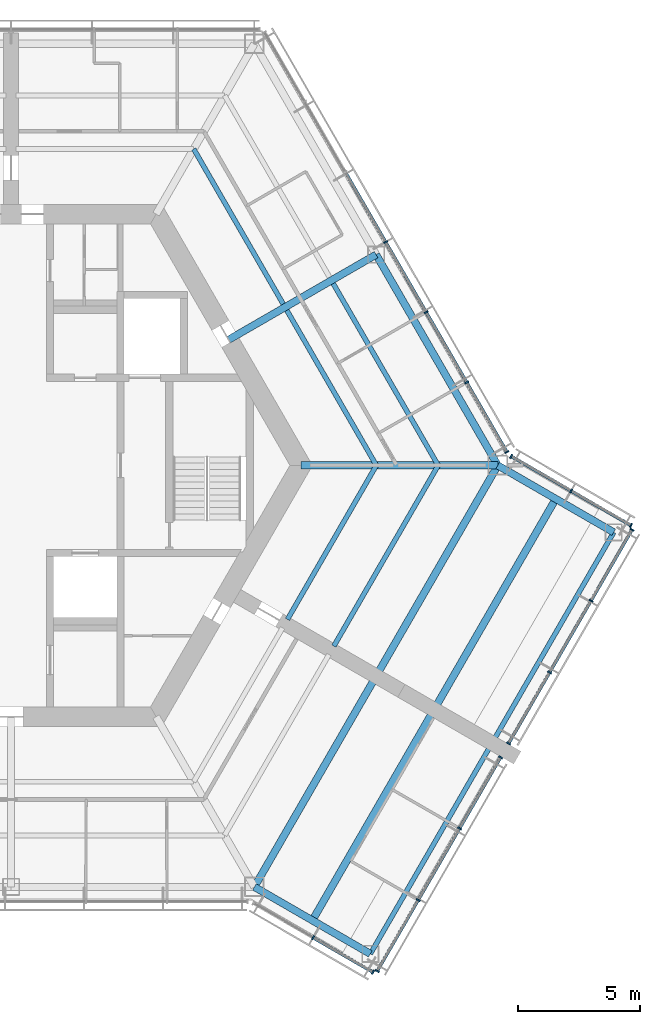
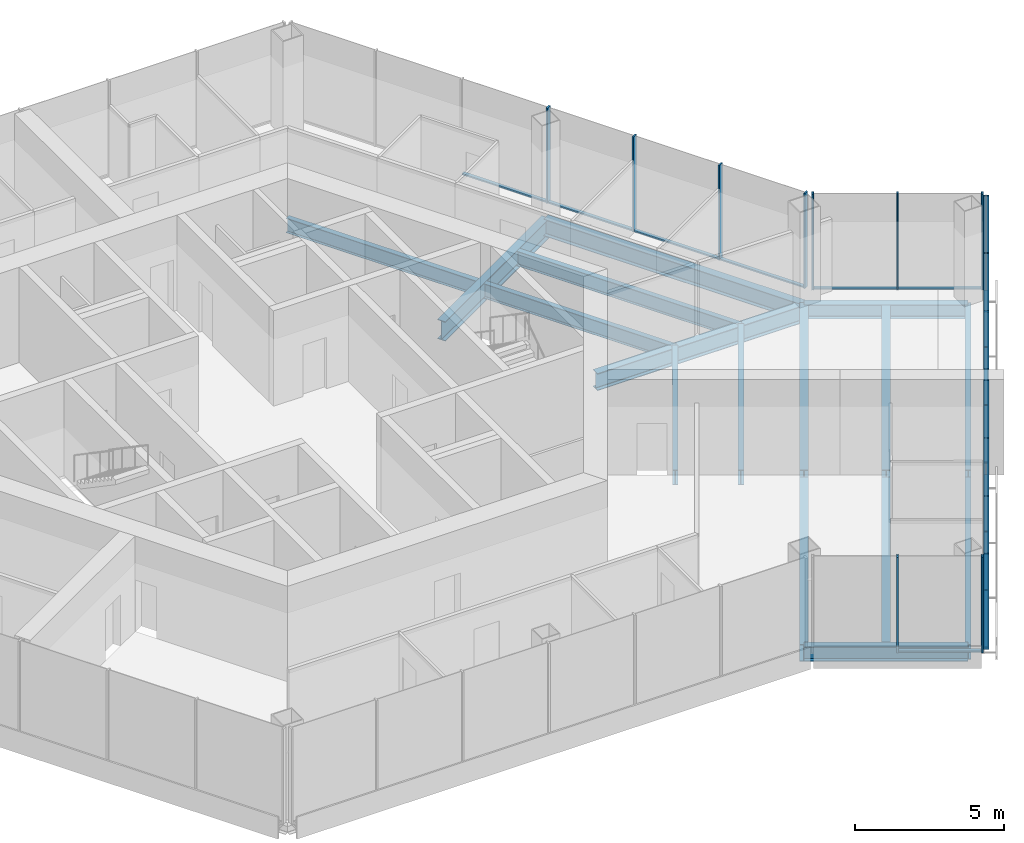
# One storey, part 4 of 13: 30 members, 16 beams, 5 elements without a shape of their own.
"""IFC4 building model written with IfcOpenShell, lengths in metres."""

import ifcopenshell
import ifcopenshell.guid

model = None  # the IFC model being written
_history = None  # IfcOwnerHistory: only IFC2X3 demands one
_inside = {}  # id of a spatial element -> (the spatial element, [elements in it])
_under = {}  # id of a project, library or spatial element -> (it, [spatial elements below it])
_declared = {}  # id of a project -> (the project, [libraries it declares])
_typed = {}  # id of a type object -> (the type object, [elements of that type])
_made_of = {}  # id of a material, layer set ... -> (it, [elements and type objects made of it])


def new_model(schema):
    """Start an empty IFC model of exactly this schema.

    Asked for "IFC4X3", IfcOpenShell would pick the latest addendum, in which some entities
    have other attributes; the version numbers below select the first issue.
    IFC2X3 requires an IfcOwnerHistory on every rooted entity: one is made here for all.
    """
    global model, _history
    if schema == "IFC4X3":
        model = ifcopenshell.file(schema_version=(4, 3, 0, 0))
    else:
        model = ifcopenshell.file(schema=schema)
    _inside.clear()
    _under.clear()
    _declared.clear()
    _typed.clear()
    _made_of.clear()
    _history = None
    if model.schema == "IFC2X3":
        org = make("IfcOrganization", Name="unknown")
        user = make(
            "IfcPersonAndOrganization",
            ThePerson=make("IfcPerson", FamilyName="unknown"),
            TheOrganization=org,
        )
        app = make(
            "IfcApplication",
            ApplicationDeveloper=org,
            Version="unknown",
            ApplicationFullName="unknown",
            ApplicationIdentifier="unknown",
        )
        _history = make(
            "IfcOwnerHistory",
            OwningUser=user,
            OwningApplication=app,
            ChangeAction="ADDED",
            CreationDate=0,
        )
    return model


def make(cls, **values):
    """One entity of the class cls with the attributes given. An attribute that is None is left unset."""
    return model.create_entity(
        cls, **{name: value for name, value in values.items() if value is not None}
    )


def rooted(cls, **values):
    """An entity with a GlobalId (a new one), such as an element, a storey or a relation."""
    return make(cls, GlobalId=ifcopenshell.guid.new(), OwnerHistory=_history, **values)


def si_unit(unit_type, name, prefix=None):
    """IfcSIUnit, for example si_unit("LENGTHUNIT", "METRE", prefix="MILLI")."""
    return make("IfcSIUnit", UnitType=unit_type, Prefix=prefix, Name=name)


def assignment(units):
    """IfcUnitAssignment: the units of a project."""
    return None if units is None else make("IfcUnitAssignment", Units=units)


def point(xyz):
    """IfcCartesianPoint."""
    return None if xyz is None else make("IfcCartesianPoint", Coordinates=xyz)


def direction(xyz):
    """IfcDirection."""
    return None if xyz is None else make("IfcDirection", DirectionRatios=xyz)


def frame(location, z_axis=None, x_axis=None):
    """IfcAxis2Placement3D, a coordinate frame: its origin and axes. An axis left out is left unset."""
    return make(
        "IfcAxis2Placement3D",
        Location=point(location),
        Axis=direction(z_axis),
        RefDirection=direction(x_axis),
    )


def frame_2d(location, x_axis=None):
    """IfcAxis2Placement2D, a coordinate frame in the plane: its origin and x axis."""
    return make(
        "IfcAxis2Placement2D", Location=point(location), RefDirection=direction(x_axis)
    )


def origin():
    """The frame at (0, 0, 0) with its axes left unset."""
    return frame((0.0, 0.0, 0.0))


def origin_2d():
    """The frame at (0, 0) in the plane with its x axis left unset."""
    return frame_2d((0.0, 0.0))


def place(relative_to, where):
    """IfcLocalPlacement: puts the frame where relative to a parent placement (None: the world)."""
    return make(
        "IfcLocalPlacement", PlacementRelTo=relative_to, RelativePlacement=where
    )


def context(
    kind, dimensions, precision=None, world=None, true_north=None, identifier=None
):
    """IfcGeometricRepresentationContext, for example the 3D "Model" context."""
    return make(
        "IfcGeometricRepresentationContext",
        ContextIdentifier=identifier,
        ContextType=kind,
        CoordinateSpaceDimension=dimensions,
        Precision=precision,
        WorldCoordinateSystem=world,
        TrueNorth=true_north,
    )


def subcontext(parent, identifier, kind, view, scale=None):
    """IfcGeometricRepresentationSubContext, for example "Body" below "Model"."""
    return make(
        "IfcGeometricRepresentationSubContext",
        ContextIdentifier=identifier,
        ContextType=kind,
        ParentContext=parent,
        TargetScale=scale,
        TargetView=view,
    )


def project(units=None, contexts=None):
    """IfcProject with its units and contexts."""
    return rooted(
        "IfcProject",
        Name="project",
        RepresentationContexts=contexts,
        UnitsInContext=assignment(units),
    )


def spatial(cls, under=None, at=None, **own):
    """A site, building, storey or space (cls), placed at a placement, below another one or the project."""
    s = rooted(cls, ObjectPlacement=at, **own)
    if under is not None:
        _under.setdefault(under.id(), (under, []))[1].append(s)
    return s


def profile(cls, at=None, kind="AREA", **sizes):
    """A parametric profile (cls). Its sizes go by their IFC names, for example OverallWidth=200.0."""
    return make(cls, ProfileType=kind, Position=at, **sizes)


def rectangle(**sizes):
    """IfcRectangleProfileDef."""
    return profile("IfcRectangleProfileDef", **sizes)


def i_section(**sizes):
    """IfcIShapeProfileDef."""
    return profile("IfcIShapeProfileDef", **sizes)


def extrude(swept, where, along, depth):
    """IfcExtrudedAreaSolid: the profile swept, set in the frame where, extruded along a direction by depth."""
    return make(
        "IfcExtrudedAreaSolid",
        SweptArea=swept,
        Position=where,
        ExtrudedDirection=direction(along),
        Depth=depth,
    )


def shape(context_of_items, identifier, shape_type, items):
    """IfcShapeRepresentation: the items that make up one representation, for example the "Body"."""
    return make(
        "IfcShapeRepresentation",
        ContextOfItems=context_of_items,
        RepresentationIdentifier=identifier,
        RepresentationType=shape_type,
        Items=items,
    )


def material(Name=None, Category=None):
    """IfcMaterial."""
    return make("IfcMaterial", Name=Name, Category=Category)


def material_profile(
    of_material, cross_section, Name=None, Category=None, Priority=None
):
    """IfcMaterialProfile: a cross section and its material."""
    return make(
        "IfcMaterialProfile",
        Name=Name,
        Material=of_material,
        Profile=cross_section,
        Priority=Priority,
        Category=Category,
    )


def profile_set(profiles, Name=None, composite=None):
    """IfcMaterialProfileSet."""
    return make(
        "IfcMaterialProfileSet",
        Name=Name,
        MaterialProfiles=profiles,
        CompositeProfile=composite,
    )


def made_of(thing, what):
    """Note that an element or type object is made of a material, layer set ...; save() writes the relation."""
    if what is not None:
        _made_of.setdefault(what.id(), (what, []))[1].append(thing)
    return thing


def type_object(cls, material=None, **own):
    """A type object (cls), such as IfcWallType, which elements share."""
    return made_of(rooted(cls, **own), material)


def element(
    cls,
    number,
    at=None,
    inside=None,
    cuts=None,
    type_object=None,
    material=None,
    context=None,
    identifier="Body",
    shape_type=None,
    held_by="IfcProductDefinitionShape",
    body=None,
    shapes=None,
    **own,
):
    """One element of the class cls, such as IfcWall. Its Tag is "e" and its number.

    at: its placement. inside: the storey or other place that contains it. cuts: it is an
    opening in that element (IfcRelVoidsElement). A single representation is given by context,
    identifier, shape_type and body (its items); several are given by shapes. held_by: the class
    of the entity that holds the representations. save() writes the other relations.
    """
    e = rooted(cls, Tag="e%d" % number, ObjectPlacement=at, **own)
    if body is not None:
        shapes = [shape(context, identifier, shape_type, body)]
    if shapes is not None:
        e.Representation = make(held_by, Representations=shapes)
    if inside is not None:
        _inside.setdefault(inside.id(), (inside, []))[1].append(e)
    if cuts is not None:
        rooted(
            "IfcRelVoidsElement", RelatingBuildingElement=cuts, RelatedOpeningElement=e
        )
    if type_object is not None:
        _typed.setdefault(type_object.id(), (type_object, []))[1].append(e)
    return made_of(e, material)


def aggregate(whole, parts):
    """IfcRelAggregates: a whole, such as a stair, and the parts it consists of."""
    return rooted("IfcRelAggregates", RelatingObject=whole, RelatedObjects=parts)


def save(model, path):
    """Write the relations noted so far, then the file.

    IfcRelAggregates (storeys below a building ...), IfcRelContainedInSpatialStructure (elements
    in a storey), IfcRelDefinesByType, IfcRelAssociatesMaterial and IfcRelDeclares: one each for
    every whole, place, type object, material and project.
    """
    for whole, parts in _under.values():
        aggregate(whole, parts)
    for where, things in _inside.values():
        rooted(
            "IfcRelContainedInSpatialStructure",
            RelatedElements=things,
            RelatingStructure=where,
        )
    for kind, things in _typed.values():
        rooted("IfcRelDefinesByType", RelatedObjects=things, RelatingType=kind)
    for what, things in _made_of.values():
        rooted("IfcRelAssociatesMaterial", RelatedObjects=things, RelatingMaterial=what)
    for by, libraries in _declared.values():
        rooted("IfcRelDeclares", RelatingContext=by, RelatedDefinitions=libraries)
    model.write(path)


model = new_model("IFC4")

# Units and contexts
model_context = context("Model", 3, precision=1e-05, world=origin(), true_north=direction((0.0, 1.0)))
body_context = subcontext(model_context, "Body", "Model", "MODEL_VIEW")
ifc_project = project(units=[si_unit("LENGTHUNIT", "METRE"), si_unit("AREAUNIT", "SQUARE_METRE"), si_unit("VOLUMEUNIT", "CUBIC_METRE"), si_unit("PLANEANGLEUNIT", "RADIAN"), si_unit("MASSUNIT", "GRAM", prefix="KILO")], contexts=[model_context])

# Site, building, storey
site_placement = place(None, origin())
site = spatial("IfcSite", under=ifc_project, at=site_placement, CompositionType="ELEMENT")
building_placement = place(site_placement, origin())
building = spatial("IfcBuilding", under=site, at=building_placement, Name="Kasaneha Research Tower", CompositionType="ELEMENT")
storey_placement = place(building_placement, frame((0.0, 0.0, 275.199951171875)))
storey = spatial("IfcBuildingStorey", under=building, at=storey_placement, Name="L69", CompositionType="ELEMENT", Elevation=275.199951171875)

# Beams
ifc_material_1 = material(Name="Steel SN490B", Category="steel")
ifc_material_profile_1 = material_profile(ifc_material_1, i_section(OverallWidth=0.199951171875, OverallDepth=0.60009765625, WebThickness=0.010986328125, FlangeThickness=0.01708984375, FilletRadius=0.012939453125, at=origin_2d()), Name="H-600x200x11x17")
ifc_profile_set_1 = profile_set([ifc_material_profile_1], Name="Steel SN490B")
beam_type_1 = type_object("IfcBeamType", Name="B1-3 secondary beam H-600x200x11x17", PredefinedType="JOIST", material=ifc_profile_set_1)
beam_1_placement = place(storey_placement, frame((15.010986328125, 0.0, -0.449951171875), z_axis=(-0.499994443168, 0.866028611999, 0.0), x_axis=(-0.866028611999, -0.499994443168, 0.0)))
element("IfcBeam", 1, at=beam_1_placement, inside=storey, type_object=beam_type_1, Name="Secondary beam RS030L1 L69", PredefinedType="JOIST", context=body_context, shape_type="SweptSolid", body=[
    extrude(i_section(OverallWidth=0.199951171875, OverallDepth=0.60009765625, WebThickness=0.010986328125, FlangeThickness=0.01708984375, FilletRadius=0.012939453125, at=origin_2d()), origin(), (0.0, 0.0, 1.0), 7.35546875),
])
beam_2_placement = place(storey_placement, frame((17.551513671875, 0.0, -0.449951171875), z_axis=(-0.5000050195, 0.866022505755, 0.0), x_axis=(-0.866022505755, -0.5000050195, 0.0)))
element("IfcBeam", 2, at=beam_2_placement, inside=storey, type_object=beam_type_1, Name="Secondary beam RS030L2 L69", PredefinedType="JOIST", context=body_context, shape_type="SweptSolid", body=[
    extrude(i_section(OverallWidth=0.199951171875, OverallDepth=0.60009765625, WebThickness=0.010986328125, FlangeThickness=0.01708984375, FilletRadius=0.012939453125, at=origin_2d()), origin(), (0.0, 0.0, 1.0), 8.6259765625),
])
beam_3_placement = place(storey_placement, frame((7.505615234375, 13.0, -0.449951171875), z_axis=(0.499994443168, -0.866028611999, 0.0), x_axis=(0.866028611999, 0.499994443168, 0.0)))
element("IfcBeam", 3, at=beam_3_placement, inside=storey, type_object=beam_type_1, Name="Secondary beam RS030R1 L69", PredefinedType="JOIST", context=body_context, shape_type="SweptSolid", body=[
    extrude(i_section(OverallWidth=0.199951171875, OverallDepth=0.60009765625, WebThickness=0.010986328125, FlangeThickness=0.01708984375, FilletRadius=0.012939453125, at=origin_2d()), origin(), (0.0, 0.0, 1.0), 7.35546875),
])
beam_4_placement = place(storey_placement, frame((15.010986328125, 0.0, -0.449951171875), z_axis=(-0.499974128195, -0.866040340363, 0.0), x_axis=(0.866040340363, -0.499974128195, 0.0)))
element("IfcBeam", 4, at=beam_4_placement, inside=storey, type_object=beam_type_1, Name="Secondary beam RS330R1 L69", PredefinedType="JOIST", context=body_context, shape_type="SweptSolid", body=[
    extrude(i_section(OverallWidth=0.199951171875, OverallDepth=0.60009765625, WebThickness=0.010986328125, FlangeThickness=0.01708984375, FilletRadius=0.012939453125, at=origin_2d()), origin(), (0.0, 0.0, 1.0), 7.3056640625),
])
beam_5_placement = place(storey_placement, frame((17.551513671875, 0.0, -0.449951171875), z_axis=(-0.500000102728, -0.866025344474, 0.0), x_axis=(0.866025344474, -0.500000102728, 0.0)))
element("IfcBeam", 5, at=beam_5_placement, inside=storey, type_object=beam_type_1, Name="Secondary beam RS330R2 L69", PredefinedType="JOIST", context=body_context, shape_type="SweptSolid", body=[
    extrude(i_section(OverallWidth=0.199951171875, OverallDepth=0.60009765625, WebThickness=0.010986328125, FlangeThickness=0.01708984375, FilletRadius=0.012939453125, at=origin_2d()), origin(), (0.0, 0.0, 1.0), 8.57568359375),
])
ifc_material_2 = material(Name="Steel SN490B", Category="steel")
ifc_material_profile_2 = material_profile(ifc_material_2, i_section(OverallWidth=0.300048828125, OverallDepth=0.58203125, WebThickness=0.011962890625, FlangeThickness=0.01708984375, FilletRadius=0.012939453125, at=origin_2d()), Name="H-582x300x12x17")
ifc_profile_set_2 = profile_set([ifc_material_profile_2], Name="Steel SN490B")
beam_type_2 = type_object("IfcBeamType", Name="B2-3 secondary beam H-582x300x12x17", PredefinedType="JOIST", material=ifc_profile_set_2)
for number, where, z_axis, x_axis, name in (
    (6, (12.381591796875, -18.695556640625, -0.44091796875), (0.49999201416, 0.866030014362, 0.0), (-0.866030014362, 0.49999201416, 0.0), "Secondary beam WBCP1 L69"),
    (7, (22.381591796875, -1.375, -0.44091796875), (-0.49999201416, -0.866030014362, 0.0), (0.866030014362, -0.49999201416, 0.0), "Secondary beam WBCN1 L69"),
):
    element("IfcBeam", number, at=place(storey_placement, frame(where, z_axis=z_axis, x_axis=x_axis)), inside=storey, type_object=beam_type_2, Name=name, PredefinedType="JOIST", context=body_context, shape_type="SweptSolid", body=[
        extrude(i_section(OverallWidth=0.300048828125, OverallDepth=0.58203125, WebThickness=0.011962890625, FlangeThickness=0.01708984375, FilletRadius=0.012939453125, at=origin_2d()), origin(), (0.0, 0.0, 1.0), 9.800048828125),
    ])

# Curtain wall, members
ifc_material_3 = material(Name="Glass and aluminium", Category="aluminium")
curtain_wall_type = type_object("IfcCurtainWallType", Name="Crown curtain wall", PredefinedType="USERDEFINED", material=ifc_material_3)
curtain_wall_1_placement = place(storey_placement, origin())
curtain_wall_1 = element("IfcCurtainWall", 8, at=curtain_wall_1_placement, inside=storey, type_object=curtain_wall_type, Name="CW-C L69 run 01a", ObjectType="UNITISED CURTAIN WALL", PredefinedType="USERDEFINED")
ifc_material_4 = material(Name="Aluminium 6063-T6", Category="aluminium")
ifc_material_profile_3 = material_profile(ifc_material_4, rectangle(XDim=0.06005859375, YDim=0.179931640625, at=origin_2d()), Name="CW-C mullion 60x180")
ifc_profile_set_3 = profile_set([ifc_material_profile_3], Name="Aluminium 6063-T6")
member_type_1 = type_object("IfcMemberType", Name="CW-C mullion", PredefinedType="MULLION", material=ifc_profile_set_3)
member_1_placement = place(storey_placement, frame((20.374267578125, 0.5517578125, 0.0), z_axis=(0.0, 0.0, 1.0), x_axis=(-0.499999979232, 0.866025415775, 0.0)))
member_1 = element("IfcMember", 9, at=member_1_placement, type_object=member_type_1, Name="CW-C mullion 1", PredefinedType="MULLION", context=body_context, shape_type="SweptSolid", body=[
    extrude(rectangle(XDim=0.06005859375, YDim=0.179931640625, at=origin_2d()), origin(), (0.0, 0.0, 1.0), 3.900146484375),
])
member_2_placement = place(storey_placement, frame((18.723876953125, 3.410400390625, 0.0), z_axis=(0.0, 0.0, 1.0), x_axis=(-0.499999979232, 0.866025415775, 0.0)))
member_2 = element("IfcMember", 10, at=member_2_placement, type_object=member_type_1, Name="CW-C mullion 2", PredefinedType="MULLION", context=body_context, shape_type="SweptSolid", body=[
    extrude(rectangle(XDim=0.06005859375, YDim=0.179931640625, at=origin_2d()), origin(), (0.0, 0.0, 1.0), 3.900146484375),
])
member_3_placement = place(storey_placement, frame((17.058349609375, 6.295166015625, 0.0), z_axis=(0.0, 0.0, 1.0), x_axis=(-0.499999979232, 0.866025415775, 0.0)))
member_3 = element("IfcMember", 11, at=member_3_placement, type_object=member_type_1, Name="CW-C mullion 3", PredefinedType="MULLION", context=body_context, shape_type="SweptSolid", body=[
    extrude(rectangle(XDim=0.06005859375, YDim=0.179931640625, at=origin_2d()), origin(), (0.0, 0.0, 1.0), 3.900146484375),
])
member_4_placement = place(storey_placement, frame((15.392822265625, 9.179931640625, 0.0), z_axis=(0.0, 0.0, 1.0), x_axis=(-0.499999979232, 0.866025415775, 0.0)))
member_4 = element("IfcMember", 12, at=member_4_placement, type_object=member_type_1, Name="CW-C mullion 4", PredefinedType="MULLION", context=body_context, shape_type="SweptSolid", body=[
    extrude(rectangle(XDim=0.06005859375, YDim=0.179931640625, at=origin_2d()), origin(), (0.0, 0.0, 1.0), 3.900146484375),
])

curtain_wall_2_placement = place(storey_placement, origin())
curtain_wall_2 = element("IfcCurtainWall", 13, at=curtain_wall_2_placement, inside=storey, type_object=curtain_wall_type, Name="CW-C L69 run 06a", ObjectType="UNITISED CURTAIN WALL", PredefinedType="USERDEFINED")
member_5_placement = place(storey_placement, frame((12.410888671875, -19.4052734375, 0.0), z_axis=(0.0, 0.0, 1.0), x_axis=(0.866025443395, -0.499999931393, 0.0)))
member_5 = element("IfcMember", 14, at=member_5_placement, type_object=member_type_1, Name="CW-C mullion 2", PredefinedType="MULLION", context=body_context, shape_type="SweptSolid", body=[
    extrude(rectangle(XDim=0.06005859375, YDim=0.179931640625, at=origin_2d()), origin(), (0.0, 0.0, 1.0), 3.900146484375),
])
member_6_placement = place(storey_placement, frame((14.8701171875, -20.8251953125, 0.0), z_axis=(0.0, 0.0, 1.0), x_axis=(0.866025443395, -0.499999931393, 0.0)))
member_6 = element("IfcMember", 15, at=member_6_placement, type_object=member_type_1, Name="CW-C mullion 3", PredefinedType="MULLION", context=body_context, shape_type="SweptSolid", body=[
    extrude(rectangle(XDim=0.06005859375, YDim=0.179931640625, at=origin_2d()), origin(), (0.0, 0.0, 1.0), 3.900146484375),
])

curtain_wall_3_placement = place(storey_placement, origin())
curtain_wall_3 = element("IfcCurtainWall", 16, at=curtain_wall_3_placement, inside=storey, type_object=curtain_wall_type, Name="CW-C L69 run 07a", ObjectType="UNITISED CURTAIN WALL", PredefinedType="USERDEFINED")
member_7_placement = place(storey_placement, frame((15.0478515625, -20.777587890625, 0.0), z_axis=(0.0, 0.0, 1.0), x_axis=(0.500000011442, 0.866025397178, 0.0)))
member_7 = element("IfcMember", 17, at=member_7_placement, type_object=member_type_1, Name="CW-C mullion 1", PredefinedType="MULLION", context=body_context, shape_type="SweptSolid", body=[
    extrude(rectangle(XDim=0.06005859375, YDim=0.179931640625, at=origin_2d()), origin(), (0.0, 0.0, 1.0), 3.900146484375),
])
member_8_placement = place(storey_placement, frame((16.732666015625, -17.859130859375, 0.0), z_axis=(0.0, 0.0, 1.0), x_axis=(0.500000011442, 0.866025397178, 0.0)))
member_8 = element("IfcMember", 18, at=member_8_placement, type_object=member_type_1, Name="CW-C mullion 2", PredefinedType="MULLION", context=body_context, shape_type="SweptSolid", body=[
    extrude(rectangle(XDim=0.06005859375, YDim=0.179931640625, at=origin_2d()), origin(), (0.0, 0.0, 1.0), 3.900146484375),
])
member_9_placement = place(storey_placement, frame((18.432861328125, -14.91455078125, 0.0), z_axis=(0.0, 0.0, 1.0), x_axis=(0.500000011442, 0.866025397178, 0.0)))
member_9 = element("IfcMember", 19, at=member_9_placement, type_object=member_type_1, Name="CW-C mullion 3", PredefinedType="MULLION", context=body_context, shape_type="SweptSolid", body=[
    extrude(rectangle(XDim=0.06005859375, YDim=0.179931640625, at=origin_2d()), origin(), (0.0, 0.0, 1.0), 3.900146484375),
])
member_10_placement = place(storey_placement, frame((20.11767578125, -11.99609375, 0.0), z_axis=(0.0, 0.0, 1.0), x_axis=(0.500000011442, 0.866025397178, 0.0)))
member_10 = element("IfcMember", 20, at=member_10_placement, type_object=member_type_1, Name="CW-C mullion 4", PredefinedType="MULLION", context=body_context, shape_type="SweptSolid", body=[
    extrude(rectangle(XDim=0.06005859375, YDim=0.179931640625, at=origin_2d()), origin(), (0.0, 0.0, 1.0), 3.900146484375),
])

curtain_wall_4_placement = place(storey_placement, origin())
curtain_wall_4 = element("IfcCurtainWall", 21, at=curtain_wall_4_placement, inside=storey, type_object=curtain_wall_type, Name="CW-C L69 run 08a", ObjectType="UNITISED CURTAIN WALL", PredefinedType="USERDEFINED")
member_11_placement = place(storey_placement, frame((20.44775390625, -11.424560546875, 0.0), z_axis=(0.0, 0.0, 1.0), x_axis=(0.500000011442, 0.866025397178, 0.0)))
member_11 = element("IfcMember", 22, at=member_11_placement, type_object=member_type_1, Name="CW-C mullion 1", PredefinedType="MULLION", context=body_context, shape_type="SweptSolid", body=[
    extrude(rectangle(XDim=0.06005859375, YDim=0.179931640625, at=origin_2d()), origin(), (0.0, 0.0, 1.0), 3.900146484375),
])
member_12_placement = place(storey_placement, frame((22.1328125, -8.505859375, 0.0), z_axis=(0.0, 0.0, 1.0), x_axis=(0.500000011442, 0.866025397178, 0.0)))
member_12 = element("IfcMember", 23, at=member_12_placement, type_object=member_type_1, Name="CW-C mullion 2", PredefinedType="MULLION", context=body_context, shape_type="SweptSolid", body=[
    extrude(rectangle(XDim=0.06005859375, YDim=0.179931640625, at=origin_2d()), origin(), (0.0, 0.0, 1.0), 3.900146484375),
])
member_13_placement = place(storey_placement, frame((23.832763671875, -5.5615234375, 0.0), z_axis=(0.0, 0.0, 1.0), x_axis=(0.500000011442, 0.866025397178, 0.0)))
member_13 = element("IfcMember", 24, at=member_13_placement, type_object=member_type_1, Name="CW-C mullion 3", PredefinedType="MULLION", context=body_context, shape_type="SweptSolid", body=[
    extrude(rectangle(XDim=0.06005859375, YDim=0.179931640625, at=origin_2d()), origin(), (0.0, 0.0, 1.0), 3.900146484375),
])
member_14_placement = place(storey_placement, frame((25.517822265625, -2.64306640625, 0.0), z_axis=(0.0, 0.0, 1.0), x_axis=(0.500000011442, 0.866025397178, 0.0)))
member_14 = element("IfcMember", 25, at=member_14_placement, type_object=member_type_1, Name="CW-C mullion 4", PredefinedType="MULLION", context=body_context, shape_type="SweptSolid", body=[
    extrude(rectangle(XDim=0.06005859375, YDim=0.179931640625, at=origin_2d()), origin(), (0.0, 0.0, 1.0), 3.900146484375),
])

curtain_wall_5_placement = place(storey_placement, origin())
curtain_wall_5 = element("IfcCurtainWall", 26, at=curtain_wall_5_placement, inside=storey, type_object=curtain_wall_type, Name="CW-C L69 run 09a", ObjectType="UNITISED CURTAIN WALL", PredefinedType="USERDEFINED")
member_15_placement = place(storey_placement, frame((25.47021484375, -2.46533203125, 0.0), z_axis=(0.0, 0.0, 1.0), x_axis=(-0.866025443395, 0.499999931393, 0.0)))
member_15 = element("IfcMember", 27, at=member_15_placement, type_object=member_type_1, Name="CW-C mullion 1", PredefinedType="MULLION", context=body_context, shape_type="SweptSolid", body=[
    extrude(rectangle(XDim=0.06005859375, YDim=0.179931640625, at=origin_2d()), origin(), (0.0, 0.0, 1.0), 3.900146484375),
])
member_16_placement = place(storey_placement, frame((23.010986328125, -1.045654296875, 0.0), z_axis=(0.0, 0.0, 1.0), x_axis=(-0.866025443395, 0.499999931393, 0.0)))
member_16 = element("IfcMember", 28, at=member_16_placement, type_object=member_type_1, Name="CW-C mullion 2", PredefinedType="MULLION", context=body_context, shape_type="SweptSolid", body=[
    extrude(rectangle(XDim=0.06005859375, YDim=0.179931640625, at=origin_2d()), origin(), (0.0, 0.0, 1.0), 3.900146484375),
])
member_17_placement = place(storey_placement, frame((20.5517578125, 0.374267578125, 0.0), z_axis=(0.0, 0.0, 1.0), x_axis=(-0.866025443395, 0.499999931393, 0.0)))
member_17 = element("IfcMember", 29, at=member_17_placement, type_object=member_type_1, Name="CW-C mullion 3", PredefinedType="MULLION", context=body_context, shape_type="SweptSolid", body=[
    extrude(rectangle(XDim=0.06005859375, YDim=0.179931640625, at=origin_2d()), origin(), (0.0, 0.0, 1.0), 3.900146484375),
])

# Member
ifc_material_5 = material(Name="Aluminium 6063-T6", Category="aluminium")
ifc_material_profile_4 = material_profile(ifc_material_5, rectangle(XDim=0.1298828125, YDim=0.06005859375, at=origin_2d()), Name="CW-C transom 130x60")
ifc_profile_set_4 = profile_set([ifc_material_profile_4], Name="Aluminium 6063-T6")
member_type_2 = type_object("IfcMemberType", Name="CW-C transom", PredefinedType="USERDEFINED", material=ifc_profile_set_4)
member_18_placement = place(storey_placement, frame((20.359130859375, 0.577880859375, 0.030029296875), z_axis=(-0.499987643696, 0.866032537582, 0.0), x_axis=(-0.866032537582, -0.499987643696, 0.0)))
member_18 = element("IfcMember", 30, at=member_18_placement, type_object=member_type_2, Name="CW-C transom 1", ObjectType="TRANSOM", PredefinedType="USERDEFINED", context=body_context, shape_type="SweptSolid", body=[
    extrude(rectangle(XDim=0.1298828125, YDim=0.06005859375, at=origin_2d()), origin(), (0.0, 0.0, 1.0), 3.24072265625),
])

member_19_placement = place(storey_placement, frame((18.708740234375, 3.4365234375, 0.030029296875), z_axis=(-0.500000270186, 0.866025247793, 0.0), x_axis=(-0.866025247793, -0.500000270186, 0.0)))
member_19 = element("IfcMember", 31, at=member_19_placement, type_object=member_type_2, Name="CW-C transom 2", ObjectType="TRANSOM", PredefinedType="USERDEFINED", context=body_context, shape_type="SweptSolid", body=[
    extrude(rectangle(XDim=0.1298828125, YDim=0.06005859375, at=origin_2d()), origin(), (0.0, 0.0, 1.0), 3.27099609375),
])

member_20_placement = place(storey_placement, frame((17.043212890625, 6.3212890625, 0.030029296875), z_axis=(-0.50003259116, 0.866006586452, 0.0), x_axis=(-0.866006586452, -0.50003259116, 0.0)))
member_20 = element("IfcMember", 32, at=member_20_placement, type_object=member_type_2, Name="CW-C transom 3", ObjectType="TRANSOM", PredefinedType="USERDEFINED", context=body_context, shape_type="SweptSolid", body=[
    extrude(rectangle(XDim=0.1298828125, YDim=0.06005859375, at=origin_2d()), origin(), (0.0, 0.0, 1.0), 3.270751953125),
])

member_21_placement = place(storey_placement, frame((15.3779296875, 9.205810546875, 0.030029296875), z_axis=(-0.500000270186, 0.866025247793, 0.0), x_axis=(-0.866025247793, -0.500000270186, 0.0)))
member_21 = element("IfcMember", 33, at=member_21_placement, type_object=member_type_2, Name="CW-C transom 4", ObjectType="TRANSOM", PredefinedType="USERDEFINED", context=body_context, shape_type="SweptSolid", body=[
    extrude(rectangle(XDim=0.1298828125, YDim=0.06005859375, at=origin_2d()), origin(), (0.0, 0.0, 1.0), 3.27099609375),
])

aggregate(curtain_wall_1, [member_1, member_2, member_3, member_4, member_18, member_19, member_20, member_21])

member_22_placement = place(storey_placement, frame((12.43701171875, -19.42041015625, 0.030029296875), z_axis=(0.866051024128, -0.499955621637, 0.0), x_axis=(0.499955621637, 0.866051024128, 0.0)))
member_22 = element("IfcMember", 34, at=member_22_placement, type_object=member_type_2, Name="CW-C transom 2", ObjectType="TRANSOM", PredefinedType="USERDEFINED", context=body_context, shape_type="SweptSolid", body=[
    extrude(rectangle(XDim=0.1298828125, YDim=0.06005859375, at=origin_2d()), origin(), (0.0, 0.0, 1.0), 2.779541015625),
])

aggregate(curtain_wall_2, [member_5, member_6, member_22])

member_23_placement = place(storey_placement, frame((15.062744140625, -20.75146484375, 0.030029296875), z_axis=(0.500018282537, 0.866014848099, 0.0), x_axis=(-0.866014848099, 0.500018282537, 0.0)))
member_23 = element("IfcMember", 35, at=member_23_placement, type_object=member_type_2, Name="CW-C transom 1", ObjectType="TRANSOM", PredefinedType="USERDEFINED", context=body_context, shape_type="SweptSolid", body=[
    extrude(rectangle(XDim=0.1298828125, YDim=0.06005859375, at=origin_2d()), origin(), (0.0, 0.0, 1.0), 3.31005859375),
])

member_24_placement = place(storey_placement, frame((16.747802734375, -17.8330078125, 0.030029296875), z_axis=(0.499975549825, 0.866039519639, 0.0), x_axis=(-0.866039519639, 0.499975549825, 0.0)))
member_24 = element("IfcMember", 36, at=member_24_placement, type_object=member_type_2, Name="CW-C transom 2", ObjectType="TRANSOM", PredefinedType="USERDEFINED", context=body_context, shape_type="SweptSolid", body=[
    extrude(rectangle(XDim=0.1298828125, YDim=0.06005859375, at=origin_2d()), origin(), (0.0, 0.0, 1.0), 3.340087890625),
])

member_25_placement = place(storey_placement, frame((18.44775390625, -14.888671875, 0.030029296875), z_axis=(0.49998634449, 0.866033287653, 0.0), x_axis=(-0.866033287653, 0.49998634449, 0.0)))
member_25 = element("IfcMember", 37, at=member_25_placement, type_object=member_type_2, Name="CW-C transom 3", ObjectType="TRANSOM", PredefinedType="USERDEFINED", context=body_context, shape_type="SweptSolid", body=[
    extrude(rectangle(XDim=0.1298828125, YDim=0.06005859375, at=origin_2d()), origin(), (0.0, 0.0, 1.0), 3.31005859375),
])

aggregate(curtain_wall_3, [member_7, member_8, member_9, member_10, member_23, member_24, member_25])

member_26_placement = place(storey_placement, frame((20.462646484375, -11.3984375, 0.030029296875), z_axis=(0.500018282537, 0.866014848099, 0.0), x_axis=(-0.866014848099, 0.500018282537, 0.0)))
member_26 = element("IfcMember", 38, at=member_26_placement, type_object=member_type_2, Name="CW-C transom 1", ObjectType="TRANSOM", PredefinedType="USERDEFINED", context=body_context, shape_type="SweptSolid", body=[
    extrude(rectangle(XDim=0.1298828125, YDim=0.06005859375, at=origin_2d()), origin(), (0.0, 0.0, 1.0), 3.31005859375),
])

member_27_placement = place(storey_placement, frame((22.147705078125, -8.47998046875, 0.030029296875), z_axis=(0.500030370488, 0.866007868665, 0.0), x_axis=(-0.866007868665, 0.500030370488, 0.0)))
member_27 = element("IfcMember", 39, at=member_27_placement, type_object=member_type_2, Name="CW-C transom 2", ObjectType="TRANSOM", PredefinedType="USERDEFINED", context=body_context, shape_type="SweptSolid", body=[
    extrude(rectangle(XDim=0.1298828125, YDim=0.06005859375, at=origin_2d()), origin(), (0.0, 0.0, 1.0), 3.340087890625),
])

member_28_placement = place(storey_placement, frame((23.84765625, -5.535400390625, 0.030029296875), z_axis=(0.500018282537, 0.866014848099, 0.0), x_axis=(-0.866014848099, 0.500018282537, 0.0)))
member_28 = element("IfcMember", 40, at=member_28_placement, type_object=member_type_2, Name="CW-C transom 3", ObjectType="TRANSOM", PredefinedType="USERDEFINED", context=body_context, shape_type="SweptSolid", body=[
    extrude(rectangle(XDim=0.1298828125, YDim=0.06005859375, at=origin_2d()), origin(), (0.0, 0.0, 1.0), 3.31005859375),
])

aggregate(curtain_wall_4, [member_11, member_12, member_13, member_14, member_26, member_27, member_28])

member_29_placement = place(storey_placement, frame((25.444091796875, -2.450439453125, 0.030029296875), z_axis=(-0.866012991964, 0.500021497287, 0.0), x_axis=(-0.500021497287, -0.866012991964, 0.0)))
member_29 = element("IfcMember", 41, at=member_29_placement, type_object=member_type_2, Name="CW-C transom 1", ObjectType="TRANSOM", PredefinedType="USERDEFINED", context=body_context, shape_type="SweptSolid", body=[
    extrude(rectangle(XDim=0.1298828125, YDim=0.06005859375, at=origin_2d()), origin(), (0.0, 0.0, 1.0), 2.77978515625),
])

member_30_placement = place(storey_placement, frame((22.985107421875, -1.030517578125, 0.030029296875), z_axis=(-0.866051024128, 0.499955621637, 0.0), x_axis=(-0.499955621637, -0.866051024128, 0.0)))
member_30 = element("IfcMember", 42, at=member_30_placement, type_object=member_type_2, Name="CW-C transom 2", ObjectType="TRANSOM", PredefinedType="USERDEFINED", context=body_context, shape_type="SweptSolid", body=[
    extrude(rectangle(XDim=0.1298828125, YDim=0.06005859375, at=origin_2d()), origin(), (0.0, 0.0, 1.0), 2.779541015625),
])

aggregate(curtain_wall_5, [member_15, member_16, member_17, member_29, member_30])

# Beams
ifc_material_6 = material(Name="Steel SN490B", Category="steel")
ifc_material_profile_5 = material_profile(ifc_material_6, i_section(OverallWidth=0.300048828125, OverallDepth=0.699951171875, WebThickness=0.012939453125, FlangeThickness=0.02392578125, FilletRadius=0.01806640625, at=origin_2d()), Name="H-700x300x13x24")
ifc_profile_set_5 = profile_set([ifc_material_profile_5], Name="Steel SN490B")
beam_type_3 = type_object("IfcBeamType", Name="G1-3 radial girder H-700x300x13x24", PredefinedType="BEAM", material=ifc_profile_set_5)
beam_6_placement = place(storey_placement, frame((11.92236328125, 0.0, -0.5), z_axis=(1.0, 0.0, 0.0), x_axis=(0.0, 1.0, 0.0)))
element("IfcBeam", 43, at=beam_6_placement, inside=storey, type_object=beam_type_3, Name="Radial girder RV000 L69", PredefinedType="BEAM", context=body_context, shape_type="SweptSolid", body=[
    extrude(i_section(OverallWidth=0.300048828125, OverallDepth=0.699951171875, WebThickness=0.012939453125, FlangeThickness=0.02392578125, FilletRadius=0.01806640625, at=origin_2d()), origin(), (0.0, 0.0, 1.0), 8.07763671875),
])
ifc_material_7 = material(Name="Steel SN490B", Category="steel")
ifc_material_profile_6 = material_profile(ifc_material_7, i_section(OverallWidth=0.300048828125, OverallDepth=0.800048828125, WebThickness=0.013916015625, FlangeThickness=0.02587890625, FilletRadius=0.01806640625, at=origin_2d()), Name="H-800x300x14x26")
ifc_profile_set_6 = profile_set([ifc_material_profile_6], Name="Steel SN490B")
beam_type_4 = type_object("IfcBeamType", Name="G2-3 radial girder H-800x300x14x26", PredefinedType="BEAM", material=ifc_profile_set_6)
beam_7_placement = place(storey_placement, frame((8.941650390625, 5.16259765625, -0.550048828125), z_axis=(0.866039713508, 0.499975214012, 0.0), x_axis=(-0.499975214012, 0.866039713508, 0.0)))
element("IfcBeam", 44, at=beam_7_placement, inside=storey, type_object=beam_type_4, Name="Radial girder RM030 L69", PredefinedType="BEAM", context=body_context, shape_type="SweptSolid", body=[
    extrude(i_section(OverallWidth=0.300048828125, OverallDepth=0.800048828125, WebThickness=0.013916015625, FlangeThickness=0.02587890625, FilletRadius=0.01806640625, at=origin_2d()), origin(), (0.0, 0.0, 1.0), 6.995361328125),
])
ifc_material_8 = material(Name="Steel SN490B", Category="steel")
ifc_material_profile_7 = material_profile(ifc_material_8, i_section(OverallWidth=0.300048828125, OverallDepth=0.69189453125, WebThickness=0.012939453125, FlangeThickness=0.02001953125, FilletRadius=0.01806640625, at=origin_2d()), Name="H-692x300x13x20")
ifc_profile_set_7 = profile_set([ifc_material_profile_7], Name="Steel SN490B")
beam_type_5 = type_object("IfcBeamType", Name="G3-3 plate edge girder H-692x300x13x20", PredefinedType="BEAM", material=ifc_profile_set_7)
for number, where, z_axis, x_axis, name in (
    (45, (10.0, -17.320556640625, -0.495849609375), (0.49999201416, 0.866030014362, 0.0), (-0.866030014362, 0.49999201416, 0.0), "Plate edge girder PECP L69"),
    (46, (20.0, 0.0, -0.495849609375), (-0.49999201416, -0.866030014362, 0.0), (0.866030014362, -0.49999201416, 0.0), "Plate edge girder PECN L69"),
):
    element("IfcBeam", number, at=place(storey_placement, frame(where, z_axis=z_axis, x_axis=x_axis)), inside=storey, type_object=beam_type_5, Name=name, PredefinedType="BEAM", context=body_context, shape_type="SweptSolid", body=[
        extrude(i_section(OverallWidth=0.300048828125, OverallDepth=0.69189453125, WebThickness=0.012939453125, FlangeThickness=0.02001953125, FilletRadius=0.01806640625, at=origin_2d()), origin(), (0.0, 0.0, 1.0), 9.800048828125),
    ])
ifc_material_9 = material(Name="Steel SN490B", Category="steel")
ifc_material_profile_8 = material_profile(ifc_material_9, i_section(OverallWidth=0.300048828125, OverallDepth=0.69189453125, WebThickness=0.012939453125, FlangeThickness=0.02001953125, FilletRadius=0.01806640625, at=origin_2d()), Name="H-692x300x13x20")
ifc_profile_set_8 = profile_set([ifc_material_profile_8], Name="Steel SN490B")
beam_type_6 = type_object("IfcBeamType", Name="SB1-3 spandrel beam H-692x300x13x20", PredefinedType="SPANDREL", material=ifc_profile_set_8)
beam_8_placement = place(storey_placement, frame((20.0, 0.0, -0.495849609375), z_axis=(-0.500004234368, 0.866022959057, 0.0), x_axis=(-0.866022959057, -0.500004234368, 0.0)))
element("IfcBeam", 47, at=beam_8_placement, inside=storey, type_object=beam_type_6, Name="Spandrel beam SR030L L69", PredefinedType="SPANDREL", context=body_context, shape_type="SweptSolid", body=[
    extrude(i_section(OverallWidth=0.300048828125, OverallDepth=0.69189453125, WebThickness=0.012939453125, FlangeThickness=0.02001953125, FilletRadius=0.01806640625, at=origin_2d()), origin(), (0.0, 0.0, 1.0), 10.0),
])
ifc_material_10 = material(Name="Steel SN490B", Category="steel")
ifc_material_profile_9 = material_profile(ifc_material_10, i_section(OverallWidth=0.300048828125, OverallDepth=0.58203125, WebThickness=0.011962890625, FlangeThickness=0.01708984375, FilletRadius=0.012939453125, at=origin_2d()), Name="H-582x300x12x17")
ifc_profile_set_9 = profile_set([ifc_material_profile_9], Name="Steel SN490B")
beam_type_7 = type_object("IfcBeamType", Name="SB2-3 spandrel beam H-582x300x12x17", PredefinedType="SPANDREL", material=ifc_profile_set_9)
for number, where, z_axis, x_axis, name in (
    (48, (10.0, -17.320556640625, -0.44091796875), (0.866027397988, -0.499996545922, 0.0), (0.499996545922, 0.866027397988, 0.0), "Spandrel beam WSCP1 L69"),
    (49, (20.0, 0.0, -0.44091796875), (0.866027397988, -0.499996545922, 0.0), (0.499996545922, 0.866027397988, 0.0), "Spandrel beam WSCN1 L69"),
):
    element("IfcBeam", number, at=place(storey_placement, frame(where, z_axis=z_axis, x_axis=x_axis)), inside=storey, type_object=beam_type_7, Name=name, PredefinedType="SPANDREL", context=body_context, shape_type="SweptSolid", body=[
        extrude(i_section(OverallWidth=0.300048828125, OverallDepth=0.58203125, WebThickness=0.011962890625, FlangeThickness=0.01708984375, FilletRadius=0.012939453125, at=origin_2d()), origin(), (0.0, 0.0, 1.0), 5.5),
    ])
ifc_material_11 = material(Name="Steel SN490B", Category="steel")
ifc_material_profile_10 = material_profile(ifc_material_11, i_section(OverallWidth=0.199951171875, OverallDepth=0.60009765625, WebThickness=0.010986328125, FlangeThickness=0.01708984375, FilletRadius=0.012939453125, at=origin_2d()), Name="H-600x200x11x17")
ifc_profile_set_10 = profile_set([ifc_material_profile_10], Name="Steel SN490B")
beam_type_8 = type_object("IfcBeamType", Name="SB3-3 spandrel beam H-600x200x11x17", PredefinedType="SPANDREL", material=ifc_profile_set_10)
for number, where, z_axis, x_axis, name in (
    (50, (14.76318359375, -20.070556640625, -0.449951171875), (0.49999201416, 0.866030014362, 0.0), (-0.866030014362, 0.49999201416, 0.0), "Spandrel beam WTCP L69"),
    (51, (24.76318359375, -2.75, -0.449951171875), (-0.500010698315, -0.866019227021, 0.0), (0.866019227021, -0.500010698315, 0.0), "Spandrel beam WTCN L69"),
):
    element("IfcBeam", number, at=place(storey_placement, frame(where, z_axis=z_axis, x_axis=x_axis)), inside=storey, type_object=beam_type_8, Name=name, PredefinedType="SPANDREL", context=body_context, shape_type="SweptSolid", body=[
        extrude(i_section(OverallWidth=0.199951171875, OverallDepth=0.60009765625, WebThickness=0.010986328125, FlangeThickness=0.01708984375, FilletRadius=0.012939453125, at=origin_2d()), origin(), (0.0, 0.0, 1.0), 9.800048828125),
    ])

save(model, "model.ifc")
